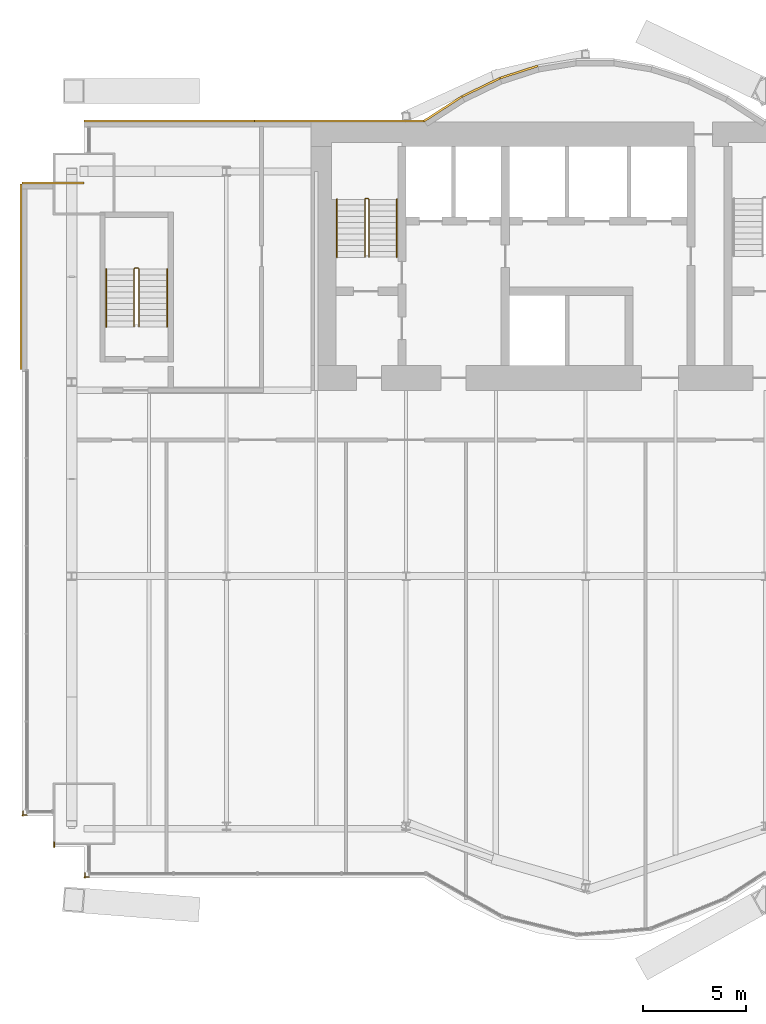
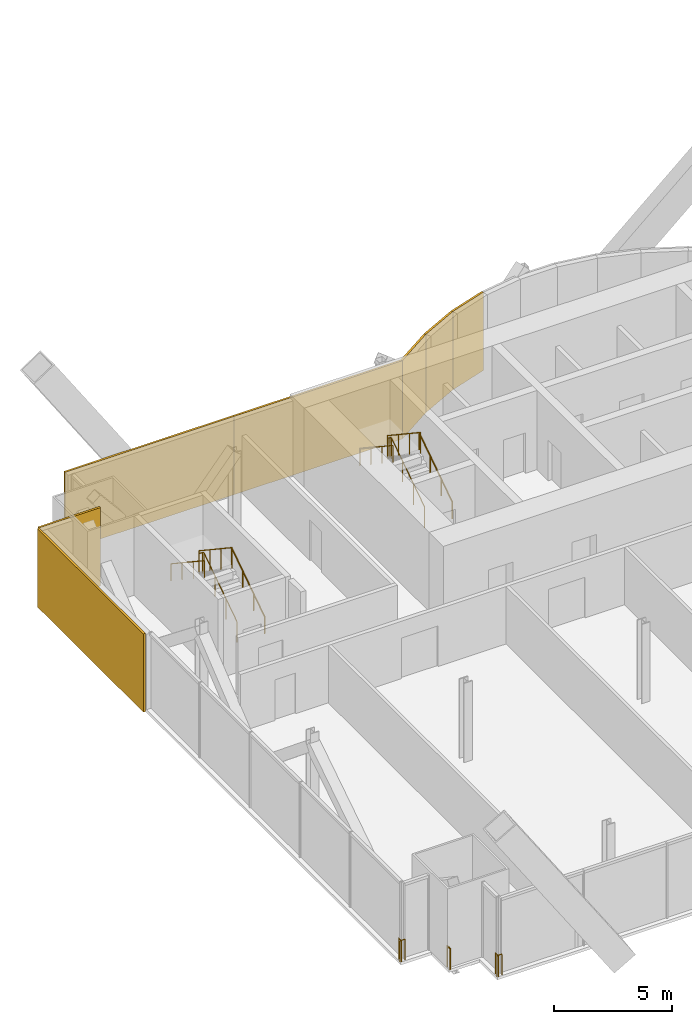
# One storey, part 19 of 21: 9 railings, 7 coverings.
"""IFC4 building model written with IfcOpenShell, lengths in metres."""

from ifc_helpers import new_model, si_unit, direction, frame, origin, origin_2d, place, context, subcontext, project, spatial, rectangle, circle, extrude, material, layer, layer_set, type_object, element, save


model = new_model("IFC4")

# Units and contexts
model_context = context("Model", 3, precision=1e-05, world=origin(), true_north=direction((0.0, 1.0)))
body_context = subcontext(model_context, "Body", "Model", "MODEL_VIEW")
ifc_project = project(units=[si_unit("LENGTHUNIT", "METRE"), si_unit("AREAUNIT", "SQUARE_METRE"), si_unit("VOLUMEUNIT", "CUBIC_METRE"), si_unit("PLANEANGLEUNIT", "RADIAN"), si_unit("MASSUNIT", "GRAM", prefix="KILO")], contexts=[model_context])

# Site, building, storey
site_placement = place(None, origin())
site = spatial("IfcSite", under=ifc_project, at=site_placement, CompositionType="ELEMENT")
building_placement = place(site_placement, origin())
building = spatial("IfcBuilding", under=site, at=building_placement, Name="Bicima Exchange Tower", CompositionType="ELEMENT")
storey_placement = place(building_placement, frame((0.0, 0.0, 130.89990234375)))
storey = spatial("IfcBuildingStorey", under=building, at=storey_placement, Name="L28", CompositionType="ELEMENT", Elevation=130.89990234375)

# Coverings
ifc_material_1 = material(Name="Bronze metal cladding")
ifc_layer_1 = layer(ifc_material_1, 0.004)
ifc_material_2 = material(Name="Ventilated cavity")
ifc_layer_2 = layer(ifc_material_2, 0.06)
ifc_material_3 = material(Name="Galvanised steel rail and mineral wool", Category="steel")
ifc_layer_3 = layer(ifc_material_3, 0.036)
ifc_layer_set = layer_set([ifc_layer_1, ifc_layer_2, ifc_layer_3], Name="Ventilated cavity")
covering_type = type_object("IfcCoveringType", Name="Bronze metal cladding panel 100", PredefinedType="CLADDING", material=ifc_layer_set)
covering_1_placement = place(storey_placement, frame((-11.931884765625, 2.41796875, -0.14990234375), z_axis=(0.0, 0.0, 1.0), x_axis=(-0.951524642381, -0.307572519808, 0.0)))
element("IfcCovering", 1, at=covering_1_placement, inside=storey, type_object=covering_type, Name="Bronze cladding L28 17.1", PredefinedType="CLADDING", context=body_context, shape_type="SweptSolid", body=[
    extrude(rectangle(XDim=1.9267578125, YDim=0.10009765625, at=origin_2d()), origin(), (0.0, 0.0, 1.0), 4.050048828125),
])
covering_2_placement = place(storey_placement, frame((-13.771728515625, 1.674560546875, -0.14990234375), z_axis=(0.0, 0.0, 1.0), x_axis=(-0.899818346812, -0.436264762204, 0.0)))
element("IfcCovering", 2, at=covering_2_placement, inside=storey, type_object=covering_type, Name="Bronze cladding L28 18.1", PredefinedType="CLADDING", context=body_context, shape_type="SweptSolid", body=[
    extrude(rectangle(XDim=2.03759765625, YDim=0.10009765625, at=origin_2d()), origin(), (0.0, 0.0, 1.0), 4.050048828125),
])
covering_3_placement = place(storey_placement, frame((-15.610595703125, 0.634521484375, -0.14990234375), z_axis=(0.0, 0.0, 1.0), x_axis=(-0.839790466384, -0.542910648791, 0.0)))
element("IfcCovering", 3, at=covering_3_placement, inside=storey, type_object=covering_type, Name="Bronze cladding L28 19.1", PredefinedType="CLADDING", context=body_context, shape_type="SweptSolid", body=[
    extrude(rectangle(XDim=2.18310546875, YDim=0.10009765625, at=origin_2d()), origin(), (0.0, 0.0, 1.0), 4.050048828125),
])
for number, where, z_axis, x_axis, name in (
    (4, (-20.625, 0.050048828125, -0.14990234375), (0.0, 0.0, 1.0), (-1.0, 0.0, 0.0), "Bronze cladding L28 20.1"),
    (5, (-28.875, 0.050048828125, -0.14990234375), (0.0, 0.0, 1.0), (-1.0, 0.0, 0.0), "Bronze cladding L28 20.2"),
):
    element("IfcCovering", number, at=place(storey_placement, frame(where, z_axis=z_axis, x_axis=x_axis)), inside=storey, type_object=covering_type, Name=name, PredefinedType="CLADDING", context=body_context, shape_type="SweptSolid", body=[
        extrude(rectangle(XDim=8.25, YDim=0.10009765625, at=origin_2d()), origin(), (0.0, 0.0, 1.0), 4.050048828125),
    ])
covering_4_placement = place(storey_placement, frame((-34.5, -2.949951171875, -0.14990234375), z_axis=(0.0, 0.0, 1.0), x_axis=(-1.0, 0.0, 0.0)))
element("IfcCovering", 6, at=covering_4_placement, inside=storey, type_object=covering_type, Name="Bronze cladding L28 22.1", PredefinedType="CLADDING", context=body_context, shape_type="SweptSolid", body=[
    extrude(rectangle(XDim=3.0, YDim=0.10009765625, at=origin_2d()), origin(), (0.0, 0.0, 1.0), 4.050048828125),
])
covering_5_placement = place(storey_placement, frame((-36.050048828125, -7.5, -0.14990234375), z_axis=(0.0, 0.0, 1.0), x_axis=(0.0, -1.0, 0.0)))
element("IfcCovering", 7, at=covering_5_placement, inside=storey, type_object=covering_type, Name="Bronze cladding L28 23.1", PredefinedType="CLADDING", context=body_context, shape_type="SweptSolid", body=[
    extrude(rectangle(XDim=9.0, YDim=0.10009765625, at=origin_2d()), origin(), (0.0, 0.0, 1.0), 4.050048828125),
])

# Railings
ifc_material_4 = material(Name="Stainless steel and bonded safety glass", Category="steel")
railing_type_1 = type_object("IfcRailingType", Name="Edge guard 1100", PredefinedType="GUARDRAIL", material=ifc_material_4)
railing_1_placement = place(storey_placement, frame((-35.75, -33.58203125, 0.0)))
element("IfcRailing", 8, at=railing_1_placement, inside=storey, type_object=railing_type_1, Name="Edge guard L28 139", PredefinedType="GUARDRAIL", context=body_context, shape_type="SweptSolid", body=[
    extrude(circle(Radius=0.02392578125, at=origin_2d()), frame((0.0, 0.0, 1.076171875), z_axis=(-1.0, 0.0, 0.0), x_axis=(0.0, -1.0, 0.0)), (0.0, 0.0, 1.0), 0.25),
    extrude(circle(Radius=0.02392578125, at=origin_2d()), frame((-0.25, 0.0, 1.076171875), z_axis=(0.707106781187, -0.707106781187, 0.0), x_axis=(0.707106781187, 0.707106781187, 0.0)), (0.0, 0.0, 1.0), 0.07080078125),
    extrude(circle(Radius=0.02392578125, at=origin_2d()), frame((-0.199951171875, -0.050048828125, 1.076171875), z_axis=(0.0, 1.0, 0.0), x_axis=(-1.0, 0.0, 0.0)), (0.0, 0.0, 1.0), 0.2490234375),
    extrude(circle(Radius=0.02099609375, at=origin_2d()), origin(), (0.0, 0.0, 1.0), 1.052001953125),
    extrude(circle(Radius=0.02099609375, at=origin_2d()), frame((-0.25, 0.0, 0.0)), (0.0, 0.0, 1.0), 1.052001953125),
    extrude(circle(Radius=0.02099609375, at=origin_2d()), frame((-0.199951171875, -0.050048828125, 0.0)), (0.0, 0.0, 1.0), 1.052001953125),
    extrude(circle(Radius=0.02099609375, at=origin_2d()), frame((-0.199951171875, 0.198974609375, 0.0)), (0.0, 0.0, 1.0), 1.052001953125),
])
railing_2_placement = place(storey_placement, frame((-32.75, -36.58203125, 0.0)))
element("IfcRailing", 9, at=railing_2_placement, inside=storey, type_object=railing_type_1, Name="Edge guard L28 143", PredefinedType="GUARDRAIL", context=body_context, shape_type="SweptSolid", body=[
    extrude(circle(Radius=0.02392578125, at=origin_2d()), frame((0.0, 0.0, 1.076171875), z_axis=(-1.0, 0.0, 0.0), x_axis=(0.0, -1.0, 0.0)), (0.0, 0.0, 1.0), 0.25),
    extrude(circle(Radius=0.02392578125, at=origin_2d()), frame((-0.25, 0.0, 1.076171875), z_axis=(0.707106781187, -0.707106781187, 0.0), x_axis=(0.707106781187, 0.707106781187, 0.0)), (0.0, 0.0, 1.0), 0.07080078125),
    extrude(circle(Radius=0.02392578125, at=origin_2d()), frame((-0.199951171875, -0.050048828125, 1.076171875), z_axis=(0.0, 1.0, 0.0), x_axis=(-1.0, 0.0, 0.0)), (0.0, 0.0, 1.0), 0.25),
    extrude(circle(Radius=0.02099609375, at=origin_2d()), origin(), (0.0, 0.0, 1.0), 1.052001953125),
    extrude(circle(Radius=0.02099609375, at=origin_2d()), frame((-0.25, 0.0, 0.0)), (0.0, 0.0, 1.0), 1.052001953125),
    extrude(circle(Radius=0.02099609375, at=origin_2d()), frame((-0.199951171875, -0.050048828125, 0.0)), (0.0, 0.0, 1.0), 1.052001953125),
    extrude(circle(Radius=0.02099609375, at=origin_2d()), frame((-0.199951171875, 0.199951171875, 0.0)), (0.0, 0.0, 1.0), 1.052001953125),
])
railing_3_placement = place(storey_placement, frame((-34.449951171875, -35.132080078125, 0.0)))
element("IfcRailing", 10, at=railing_3_placement, inside=storey, type_object=railing_type_1, Name="Edge guard L28 144", PredefinedType="GUARDRAIL", context=body_context, shape_type="SweptSolid", body=[
    extrude(circle(Radius=0.02392578125, at=origin_2d()), frame((0.0, 0.0, 1.076171875), z_axis=(0.0, 1.0, 0.0), x_axis=(-1.0, 0.0, 0.0)), (0.0, 0.0, 1.0), 0.25),
    extrude(circle(Radius=0.02099609375, at=origin_2d()), origin(), (0.0, 0.0, 1.0), 1.052001953125),
    extrude(circle(Radius=0.02099609375, at=origin_2d()), frame((0.0, 0.25, 0.0)), (0.0, 0.0, 1.0), 1.052001953125),
])
ifc_material_5 = material(Name="Stainless steel", Category="steel")
railing_type_2 = type_object("IfcRailingType", Name="Stair guard 1100", PredefinedType="GUARDRAIL", material=ifc_material_5)
railing_4_placement = place(storey_placement, frame((-19.199951171875, -6.550048828125, 0.1865234375)))
element("IfcRailing", 11, at=railing_4_placement, inside=storey, type_object=railing_type_2, Name="L28 ST-W stair guard 1", PredefinedType="GUARDRAIL", context=body_context, shape_type="SweptSolid", body=[
    extrude(circle(Radius=0.02392578125, at=origin_2d()), frame((0.0, 0.0, 1.076171875), z_axis=(0.0, 0.832485552168, 0.554046753832), x_axis=(-1.0, 0.0, 0.0)), (0.0, 0.0, 1.0), 3.363525390625),
    extrude(circle(Radius=0.02392578125, at=origin_2d()), frame((0.0, 2.800048828125, 2.939453125), z_axis=(-0.707106781187, 0.707106781187, 0.0), x_axis=(-0.707106781187, -0.707106781187, 0.0)), (0.0, 0.0, 1.0), 0.07080078125),
    extrude(circle(Radius=0.02392578125, at=origin_2d()), frame((-0.050048828125, 2.85009765625, 2.939453125), z_axis=(-1.0, 0.0, 0.0), x_axis=(0.0, -1.0, 0.0)), (0.0, 0.0, 1.0), 0.10009765625),
    extrude(circle(Radius=0.02392578125, at=origin_2d()), frame((-0.150146484375, 2.85009765625, 2.939453125), z_axis=(-0.249722437352, -0.250946566947, 0.935235010476), x_axis=(0.708833529934, -0.705375805398, 0.0)), (0.0, 0.0, 1.0), 0.199462890625),
    extrude(circle(Radius=0.02392578125, at=origin_2d()), frame((-0.199951171875, 2.800048828125, 3.1259765625), z_axis=(0.0, -0.832485552168, 0.554046753832), x_axis=(1.0, 0.0, 0.0)), (0.0, 0.0, 1.0), 3.363525390625),
    extrude(circle(Radius=0.02099609375, at=origin_2d()), origin(), (0.0, 0.0, 1.0), 1.052001953125),
    extrude(circle(Radius=0.02099609375, at=origin_2d()), frame((0.0, 0.933349609375, 0.62109375)), (0.0, 0.0, 1.0), 1.052001953125),
    extrude(circle(Radius=0.02099609375, at=origin_2d()), frame((0.0, 1.86669921875, 1.242431640625)), (0.0, 0.0, 1.0), 1.052001953125),
    extrude(circle(Radius=0.02099609375, at=origin_2d()), frame((0.0, 2.800048828125, 1.863525390625)), (0.0, 0.0, 1.0), 1.052001953125),
    extrude(circle(Radius=0.02099609375, at=origin_2d()), frame((-0.050048828125, 2.85009765625, 1.863525390625)), (0.0, 0.0, 1.0), 1.052001953125),
    extrude(circle(Radius=0.02099609375, at=origin_2d()), frame((-0.150146484375, 2.85009765625, 1.863525390625)), (0.0, 0.0, 1.0), 1.052001953125),
    extrude(circle(Radius=0.02099609375, at=origin_2d()), frame((-0.199951171875, 2.800048828125, 2.050048828125)), (0.0, 0.0, 1.0), 1.052001953125),
    extrude(circle(Radius=0.02099609375, at=origin_2d()), frame((-0.199951171875, 1.86669921875, 2.671142578125)), (0.0, 0.0, 1.0), 1.052001953125),
    extrude(circle(Radius=0.02099609375, at=origin_2d()), frame((-0.199951171875, 0.933349609375, 3.29248046875)), (0.0, 0.0, 1.0), 1.052001953125),
    extrude(circle(Radius=0.02099609375, at=origin_2d()), frame((-0.199951171875, 0.0, 3.91357421875)), (0.0, 0.0, 1.0), 1.052001953125),
])
railing_5_placement = place(storey_placement, frame((-30.324951171875, -9.925048828125, 0.1865234375)))
element("IfcRailing", 12, at=railing_5_placement, inside=storey, type_object=railing_type_2, Name="L28 ST-WW stair guard 1", PredefinedType="GUARDRAIL", context=body_context, shape_type="SweptSolid", body=[
    extrude(circle(Radius=0.02392578125, at=origin_2d()), frame((0.0, 0.0, 1.076171875), z_axis=(0.0, 0.832485552168, 0.554046753832), x_axis=(-1.0, 0.0, 0.0)), (0.0, 0.0, 1.0), 3.363525390625),
    extrude(circle(Radius=0.02392578125, at=origin_2d()), frame((0.0, 2.800048828125, 2.939453125), z_axis=(-0.707106781187, 0.707106781187, 0.0), x_axis=(-0.707106781187, -0.707106781187, 0.0)), (0.0, 0.0, 1.0), 0.07080078125),
    extrude(circle(Radius=0.02392578125, at=origin_2d()), frame((-0.050048828125, 2.85009765625, 2.939453125), z_axis=(-1.0, 0.0, 0.0), x_axis=(0.0, -1.0, 0.0)), (0.0, 0.0, 1.0), 0.14990234375),
    extrude(circle(Radius=0.02392578125, at=origin_2d()), frame((-0.199951171875, 2.85009765625, 2.939453125), z_axis=(-0.250869701741, -0.250869701741, 0.934948546978), x_axis=(0.707106781187, -0.707106781187, 0.0)), (0.0, 0.0, 1.0), 0.199462890625),
    extrude(circle(Radius=0.02392578125, at=origin_2d()), frame((-0.25, 2.800048828125, 3.1259765625), z_axis=(0.0, -0.832485552168, 0.554046753832), x_axis=(1.0, 0.0, 0.0)), (0.0, 0.0, 1.0), 3.363525390625),
    extrude(circle(Radius=0.02099609375, at=origin_2d()), origin(), (0.0, 0.0, 1.0), 1.052001953125),
    extrude(circle(Radius=0.02099609375, at=origin_2d()), frame((0.0, 0.933349609375, 0.62109375)), (0.0, 0.0, 1.0), 1.052001953125),
    extrude(circle(Radius=0.02099609375, at=origin_2d()), frame((0.0, 1.86669921875, 1.242431640625)), (0.0, 0.0, 1.0), 1.052001953125),
    extrude(circle(Radius=0.02099609375, at=origin_2d()), frame((0.0, 2.800048828125, 1.863525390625)), (0.0, 0.0, 1.0), 1.052001953125),
    extrude(circle(Radius=0.02099609375, at=origin_2d()), frame((-0.050048828125, 2.85009765625, 1.863525390625)), (0.0, 0.0, 1.0), 1.052001953125),
    extrude(circle(Radius=0.02099609375, at=origin_2d()), frame((-0.199951171875, 2.85009765625, 1.863525390625)), (0.0, 0.0, 1.0), 1.052001953125),
    extrude(circle(Radius=0.02099609375, at=origin_2d()), frame((-0.25, 2.800048828125, 2.050048828125)), (0.0, 0.0, 1.0), 1.052001953125),
    extrude(circle(Radius=0.02099609375, at=origin_2d()), frame((-0.25, 1.86669921875, 2.671142578125)), (0.0, 0.0, 1.0), 1.052001953125),
    extrude(circle(Radius=0.02099609375, at=origin_2d()), frame((-0.25, 0.933349609375, 3.29248046875)), (0.0, 0.0, 1.0), 1.052001953125),
    extrude(circle(Radius=0.02099609375, at=origin_2d()), frame((-0.25, 0.0, 3.91357421875)), (0.0, 0.0, 1.0), 1.052001953125),
])
railing_type_3 = type_object("IfcRailingType", Name="Stair handrail 900", PredefinedType="HANDRAIL", material=ifc_material_5)
railing_6_placement = place(storey_placement, frame((-17.85009765625, -6.550048828125, 0.1865234375)))
element("IfcRailing", 13, at=railing_6_placement, inside=storey, type_object=railing_type_3, Name="L28 ST-W stair handrail 1", PredefinedType="HANDRAIL", context=body_context, shape_type="SweptSolid", body=[
    extrude(circle(Radius=0.02392578125, at=origin_2d()), frame((0.0, 0.0, 0.8759765625), z_axis=(0.0, 0.832485552168, 0.554046753832), x_axis=(-1.0, 0.0, 0.0)), (0.0, 0.0, 1.0), 3.363525390625),
    extrude(circle(Radius=0.02099609375, at=origin_2d()), origin(), (0.0, 0.0, 1.0), 0.851806640625),
    extrude(circle(Radius=0.02099609375, at=origin_2d()), frame((0.0, 0.933349609375, 0.62109375)), (0.0, 0.0, 1.0), 0.851806640625),
    extrude(circle(Radius=0.02099609375, at=origin_2d()), frame((0.0, 1.86669921875, 1.242431640625)), (0.0, 0.0, 1.0), 0.851806640625),
    extrude(circle(Radius=0.02099609375, at=origin_2d()), frame((0.0, 2.800048828125, 1.863525390625)), (0.0, 0.0, 1.0), 0.851806640625),
])
railing_7_placement = place(storey_placement, frame((-20.75, -3.75, 2.236572265625)))
element("IfcRailing", 14, at=railing_7_placement, inside=storey, type_object=railing_type_3, Name="L28 ST-W stair handrail 2", PredefinedType="HANDRAIL", context=body_context, shape_type="SweptSolid", body=[
    extrude(circle(Radius=0.02392578125, at=origin_2d()), frame((0.0, 0.0, 0.8759765625), z_axis=(0.0, -0.832485552168, 0.554046753832), x_axis=(1.0, 0.0, 0.0)), (0.0, 0.0, 1.0), 3.363525390625),
    extrude(circle(Radius=0.02099609375, at=origin_2d()), origin(), (0.0, 0.0, 1.0), 0.851806640625),
    extrude(circle(Radius=0.02099609375, at=origin_2d()), frame((0.0, -0.933349609375, 0.62109375)), (0.0, 0.0, 1.0), 0.851806640625),
    extrude(circle(Radius=0.02099609375, at=origin_2d()), frame((0.0, -1.86669921875, 1.242431640625)), (0.0, 0.0, 1.0), 0.851806640625),
    extrude(circle(Radius=0.02099609375, at=origin_2d()), frame((0.0, -2.800048828125, 1.863525390625)), (0.0, 0.0, 1.0), 0.851806640625),
])
railing_8_placement = place(storey_placement, frame((-28.97509765625, -9.925048828125, 0.1865234375)))
element("IfcRailing", 15, at=railing_8_placement, inside=storey, type_object=railing_type_3, Name="L28 ST-WW stair handrail 1", PredefinedType="HANDRAIL", context=body_context, shape_type="SweptSolid", body=[
    extrude(circle(Radius=0.02392578125, at=origin_2d()), frame((0.0, 0.0, 0.8759765625), z_axis=(0.0, 0.832485552168, 0.554046753832), x_axis=(-1.0, 0.0, 0.0)), (0.0, 0.0, 1.0), 3.363525390625),
    extrude(circle(Radius=0.02099609375, at=origin_2d()), origin(), (0.0, 0.0, 1.0), 0.851806640625),
    extrude(circle(Radius=0.02099609375, at=origin_2d()), frame((0.0, 0.933349609375, 0.62109375)), (0.0, 0.0, 1.0), 0.851806640625),
    extrude(circle(Radius=0.02099609375, at=origin_2d()), frame((0.0, 1.86669921875, 1.242431640625)), (0.0, 0.0, 1.0), 0.851806640625),
    extrude(circle(Radius=0.02099609375, at=origin_2d()), frame((0.0, 2.800048828125, 1.863525390625)), (0.0, 0.0, 1.0), 0.851806640625),
])
railing_9_placement = place(storey_placement, frame((-31.925048828125, -7.125, 2.236572265625)))
element("IfcRailing", 16, at=railing_9_placement, inside=storey, type_object=railing_type_3, Name="L28 ST-WW stair handrail 2", PredefinedType="HANDRAIL", context=body_context, shape_type="SweptSolid", body=[
    extrude(circle(Radius=0.02392578125, at=origin_2d()), frame((0.0, 0.0, 0.8759765625), z_axis=(0.0, -0.832485552168, 0.554046753832), x_axis=(1.0, 0.0, 0.0)), (0.0, 0.0, 1.0), 3.363525390625),
    extrude(circle(Radius=0.02099609375, at=origin_2d()), origin(), (0.0, 0.0, 1.0), 0.851806640625),
    extrude(circle(Radius=0.02099609375, at=origin_2d()), frame((0.0, -0.933349609375, 0.62109375)), (0.0, 0.0, 1.0), 0.851806640625),
    extrude(circle(Radius=0.02099609375, at=origin_2d()), frame((0.0, -1.86669921875, 1.242431640625)), (0.0, 0.0, 1.0), 0.851806640625),
    extrude(circle(Radius=0.02099609375, at=origin_2d()), frame((0.0, -2.800048828125, 1.863525390625)), (0.0, 0.0, 1.0), 0.851806640625),
])

save(model, "model.ifc")
